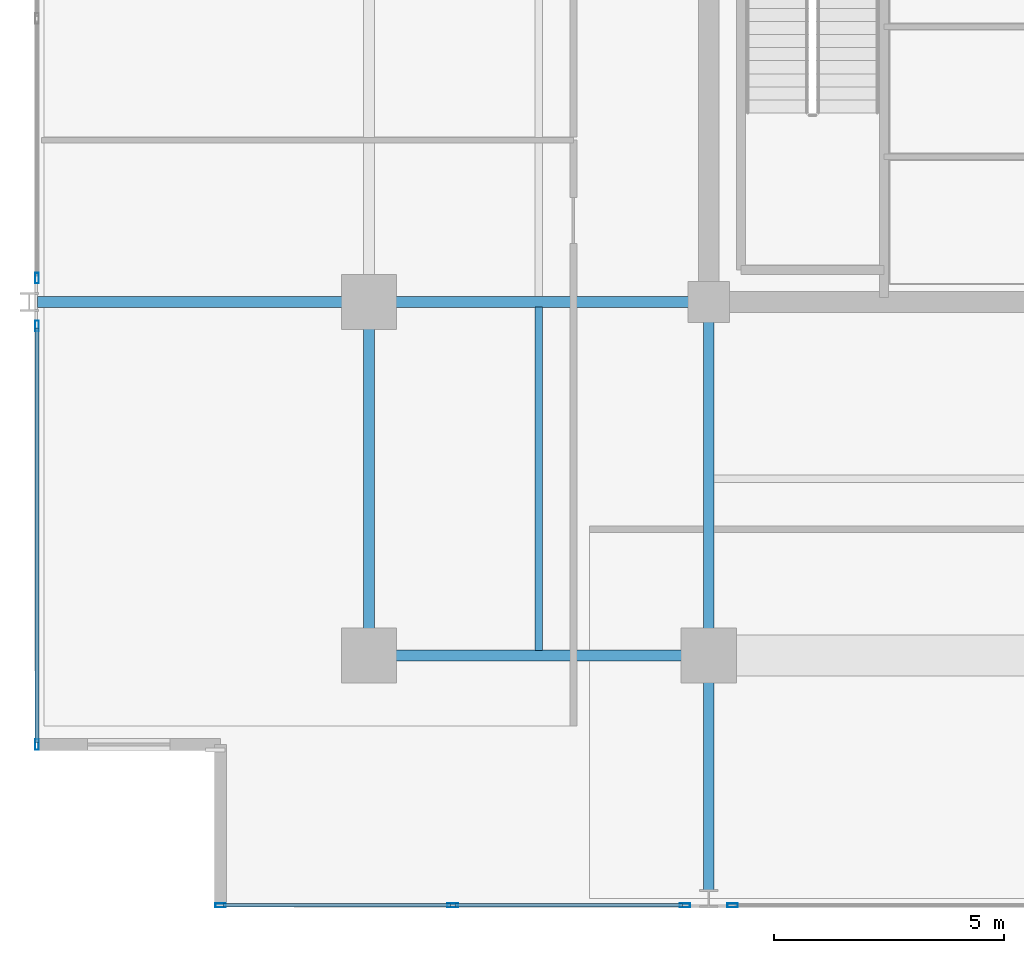
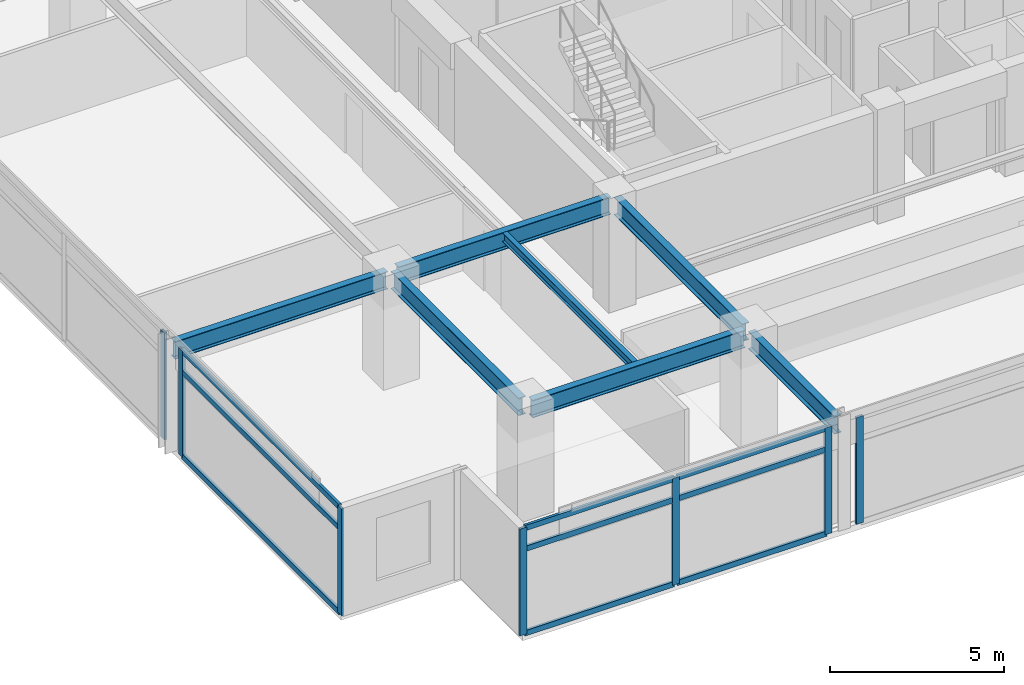
# One storey, part 2 of 21: 16 members, 7 beams, 4 elements without a shape of their own.
"""IFC4 building model written with IfcOpenShell, lengths in metres."""

from ifc_helpers import new_model, si_unit, direction, frame, origin, origin_2d, place, context, subcontext, project, spatial, hollow_rectangle, i_section, extrude, material, material_profile, profile_set, type_object, element, aggregate, save


model = new_model("IFC4")

# Units and contexts
model_context = context("Model", 3, precision=1e-05, world=origin(), true_north=direction((0.0, 1.0)))
body_context = subcontext(model_context, "Body", "Model", "MODEL_VIEW")
ifc_project = project(units=[si_unit("LENGTHUNIT", "METRE"), si_unit("AREAUNIT", "SQUARE_METRE"), si_unit("VOLUMEUNIT", "CUBIC_METRE"), si_unit("PLANEANGLEUNIT", "RADIAN"), si_unit("MASSUNIT", "GRAM", prefix="KILO")], contexts=[model_context])

# Site, building, storey
site_placement = place(None, origin())
site = spatial("IfcSite", under=ifc_project, at=site_placement, CompositionType="ELEMENT")
building_placement = place(site_placement, origin())
building = spatial("IfcBuilding", under=site, at=building_placement, Name="Kovane Verandah Tower", CompositionType="ELEMENT")
storey_placement = place(building_placement, frame((0.0, 0.0, 283.199951171875)))
storey = spatial("IfcBuildingStorey", under=building, at=storey_placement, Name="L66", CompositionType="ELEMENT", Elevation=283.199951171875)

# Beams
ifc_material_1 = material(Name="Steel S355", Category="steel")
ifc_material_profile_1 = material_profile(ifc_material_1, i_section(OverallWidth=0.230224609375, OverallDepth=0.6171875, WebThickness=0.01318359375, FlangeThickness=0.022216796875, FilletRadius=0.0126953125, at=origin_2d()), Name="UB610x229x140")
ifc_profile_set_1 = profile_set([ifc_material_profile_1], Name="Steel S355")
beam_type_1 = type_object("IfcBeamType", Name="BM-UB610x140", PredefinedType="BEAM", material=ifc_profile_set_1)
beam_1_placement = place(storey_placement, frame((21.780029296875, 10.800048828125, 3.4765625), z_axis=(1.0, 0.0, 0.0), x_axis=(0.0, 1.0, 0.0)))
element("IfcBeam", 1, at=beam_1_placement, inside=storey, type_object=beam_type_1, Name="L66 Primary Tower Girder G-RS1", PredefinedType="BEAM", context=body_context, shape_type="SweptSolid", body=[
    extrude(i_section(OverallWidth=0.230224609375, OverallDepth=0.6171875, WebThickness=0.01318359375, FlangeThickness=0.022216796875, FilletRadius=0.0126953125, at=origin_2d()), origin(), (0.0, 0.0, 1.0), 7.0400390625),
])
beam_2_placement = place(storey_placement, frame((21.60009765625, 10.97998046875, 3.4765625), z_axis=(0.0, 1.0, 0.0), x_axis=(-1.0, 0.0, 0.0)))
element("IfcBeam", 2, at=beam_2_placement, inside=storey, type_object=beam_type_1, Name="L66 Primary Tower Girder G-RW1", PredefinedType="BEAM", context=body_context, shape_type="SweptSolid", body=[
    extrude(i_section(OverallWidth=0.230224609375, OverallDepth=0.6171875, WebThickness=0.01318359375, FlangeThickness=0.022216796875, FilletRadius=0.0126953125, at=origin_2d()), origin(), (0.0, 0.0, 1.0), 7.340087890625),
])
beam_3_placement = place(storey_placement, frame((28.820068359375, 18.5, 3.4765625), z_axis=(-1.0, 0.0, 0.0), x_axis=(0.0, -1.0, 0.0)))
element("IfcBeam", 3, at=beam_3_placement, inside=storey, type_object=beam_type_1, Name="L66 Primary Tower Girder G-W1", PredefinedType="BEAM", context=body_context, shape_type="SweptSolid", body=[
    extrude(i_section(OverallWidth=0.230224609375, OverallDepth=0.6171875, WebThickness=0.01318359375, FlangeThickness=0.022216796875, FilletRadius=0.0126953125, at=origin_2d()), origin(), (0.0, 0.0, 1.0), 7.0400390625),
])
beam_4_placement = place(storey_placement, frame((29.0, 18.320068359375, 3.4765625), z_axis=(0.0, -1.0, 0.0), x_axis=(1.0, 0.0, 0.0)))
element("IfcBeam", 4, at=beam_4_placement, inside=storey, type_object=beam_type_1, Name="L66 Primary Tower Girder G-S1", PredefinedType="BEAM", context=body_context, shape_type="SweptSolid", body=[
    extrude(i_section(OverallWidth=0.230224609375, OverallDepth=0.6171875, WebThickness=0.01318359375, FlangeThickness=0.022216796875, FilletRadius=0.0126953125, at=origin_2d()), origin(), (0.0, 0.0, 1.0), 7.340087890625),
])
beam_5_placement = place(storey_placement, frame((21.419921875, 18.5, 3.451416015625), z_axis=(-1.0, 0.0, 0.0), x_axis=(0.0, -1.0, 0.0)))
element("IfcBeam", 5, at=beam_5_placement, inside=storey, type_object=beam_type_1, Name="L66 Primary Tower Girder G-VW1", PredefinedType="BEAM", context=body_context, shape_type="SweptSolid", body=[
    extrude(i_section(OverallWidth=0.230224609375, OverallDepth=0.6171875, WebThickness=0.01318359375, FlangeThickness=0.022216796875, FilletRadius=0.0126953125, at=origin_2d()), origin(), (0.0, 0.0, 1.0), 7.0400390625),
])
beam_6_placement = place(storey_placement, frame((29.0, 10.6201171875, 3.451416015625), z_axis=(0.0, -1.0, 0.0), x_axis=(1.0, 0.0, 0.0)))
element("IfcBeam", 6, at=beam_6_placement, inside=storey, type_object=beam_type_1, Name="L66 Primary Tower Girder G-VS1", PredefinedType="BEAM", context=body_context, shape_type="SweptSolid", body=[
    extrude(i_section(OverallWidth=0.230224609375, OverallDepth=0.6171875, WebThickness=0.01318359375, FlangeThickness=0.022216796875, FilletRadius=0.0126953125, at=origin_2d()), origin(), (0.0, 0.0, 1.0), 4.940185546875),
])

# Curtain wall, members
ifc_material_2 = material(Name="Champagne Anodised Aluminium Frame with Low-E Clear Laminated Glass", Category="aluminium")
curtain_wall_type = type_object("IfcCurtainWallType", Name="CW-SYS-05-HIGH", PredefinedType="NOTDEFINED", material=ifc_material_2)
curtain_wall_1_placement = place(storey_placement, origin())
curtain_wall_1 = element("IfcCurtainWall", 7, at=curtain_wall_1_placement, inside=storey, type_object=curtain_wall_type, Name="L66 S Unitised Curtain Wall-1", PredefinedType="NOTDEFINED")
ifc_material_3 = material(Name="Champagne Anodised Aluminium 6063-T6", Category="aluminium")
ifc_material_profile_2 = material_profile(ifc_material_3, hollow_rectangle(XDim=0.0849609375, YDim=0.22998046875, WallThickness=0.00390625, at=origin_2d()), Name="AL85x230x4")
ifc_profile_set_2 = profile_set([ifc_material_profile_2], Name="Champagne Anodised Aluminium 6063-T6")
member_type_1 = type_object("IfcMemberType", Name="CW-MUL-85x230", PredefinedType="MULLION", material=ifc_profile_set_2)
member_1_placement = place(storey_placement, frame((18.36865234375, 5.359619140625, 0.02001953125), z_axis=(0.0, 0.0, 1.0), x_axis=(0.0, -1.0, 0.0)))
member_1 = element("IfcMember", 8, at=member_1_placement, type_object=member_type_1, Name="L66 S Unitised Curtain Wall-1 Mullion 1", PredefinedType="MULLION", context=body_context, shape_type="SweptSolid", body=[
    extrude(hollow_rectangle(XDim=0.0849609375, YDim=0.22998046875, WallThickness=0.00390625, at=origin_2d()), origin(), (0.0, 0.0, 1.0), 3.7451171875),
])
member_2_placement = place(storey_placement, frame((23.42431640625, 5.359619140625, 0.02001953125), z_axis=(0.0, 0.0, 1.0), x_axis=(0.0, -1.0, 0.0)))
member_2 = element("IfcMember", 9, at=member_2_placement, type_object=member_type_1, Name="L66 S Unitised Curtain Wall-1 Mullion 2", PredefinedType="MULLION", context=body_context, shape_type="SweptSolid", body=[
    extrude(hollow_rectangle(XDim=0.0849609375, YDim=0.22998046875, WallThickness=0.00390625, at=origin_2d()), origin(), (0.0, 0.0, 1.0), 3.7451171875),
])
member_3_placement = place(storey_placement, frame((28.47998046875, 5.359619140625, 0.02001953125), z_axis=(0.0, 0.0, 1.0), x_axis=(0.0, -1.0, 0.0)))
member_3 = element("IfcMember", 10, at=member_3_placement, type_object=member_type_1, Name="L66 S Unitised Curtain Wall-1 Mullion 3", PredefinedType="MULLION", context=body_context, shape_type="SweptSolid", body=[
    extrude(hollow_rectangle(XDim=0.0849609375, YDim=0.22998046875, WallThickness=0.00390625, at=origin_2d()), origin(), (0.0, 0.0, 1.0), 3.7451171875),
])

# Curtain wall, member
curtain_wall_2_placement = place(storey_placement, origin())
curtain_wall_2 = element("IfcCurtainWall", 11, at=curtain_wall_2_placement, inside=storey, type_object=curtain_wall_type, Name="L66 S Unitised Curtain Wall-2", PredefinedType="NOTDEFINED")
member_4_placement = place(storey_placement, frame((29.52001953125, 5.359619140625, 0.02001953125), z_axis=(0.0, 0.0, 1.0), x_axis=(0.0, -1.0, 0.0)))
member_4 = element("IfcMember", 12, at=member_4_placement, type_object=member_type_1, Name="L66 S Unitised Curtain Wall-2 Mullion 1", PredefinedType="MULLION", context=body_context, shape_type="SweptSolid", body=[
    extrude(hollow_rectangle(XDim=0.0849609375, YDim=0.22998046875, WallThickness=0.00390625, at=origin_2d()), origin(), (0.0, 0.0, 1.0), 3.7451171875),
])
aggregate(curtain_wall_2, [member_4])

curtain_wall_3_placement = place(storey_placement, origin())
curtain_wall_3 = element("IfcCurtainWall", 13, at=curtain_wall_3_placement, inside=storey, type_object=curtain_wall_type, Name="L66 W Unitised Curtain Wall-2", PredefinedType="NOTDEFINED")
member_5_placement = place(storey_placement, frame((14.36865234375, 19.02001953125, 0.02001953125), z_axis=(0.0, 0.0, 1.0), x_axis=(-1.0, 0.0, 0.0)))
member_5 = element("IfcMember", 14, at=member_5_placement, type_object=member_type_1, Name="L66 W Unitised Curtain Wall-2 Mullion 4", PredefinedType="MULLION", context=body_context, shape_type="SweptSolid", body=[
    extrude(hollow_rectangle(XDim=0.0849609375, YDim=0.22998046875, WallThickness=0.00390625, at=origin_2d()), origin(), (0.0, 0.0, 1.0), 3.7451171875),
])
aggregate(curtain_wall_3, [member_5])

# Curtain wall, members
curtain_wall_4_placement = place(storey_placement, origin())
curtain_wall_4 = element("IfcCurtainWall", 15, at=curtain_wall_4_placement, inside=storey, type_object=curtain_wall_type, Name="L66 W Unitised Curtain Wall-3", PredefinedType="NOTDEFINED")
member_6_placement = place(storey_placement, frame((14.36865234375, 17.97998046875, 0.02001953125), z_axis=(0.0, 0.0, 1.0), x_axis=(-1.0, 0.0, 0.0)))
member_6 = element("IfcMember", 16, at=member_6_placement, type_object=member_type_1, Name="L66 W Unitised Curtain Wall-3 Mullion 1", PredefinedType="MULLION", context=body_context, shape_type="SweptSolid", body=[
    extrude(hollow_rectangle(XDim=0.0849609375, YDim=0.22998046875, WallThickness=0.00390625, at=origin_2d()), origin(), (0.0, 0.0, 1.0), 3.7451171875),
])
member_7_placement = place(storey_placement, frame((14.36865234375, 8.859619140625, 0.02001953125), z_axis=(0.0, 0.0, 1.0), x_axis=(-1.0, 0.0, 0.0)))
member_7 = element("IfcMember", 17, at=member_7_placement, type_object=member_type_1, Name="L66 W Unitised Curtain Wall-3 Mullion 2", PredefinedType="MULLION", context=body_context, shape_type="SweptSolid", body=[
    extrude(hollow_rectangle(XDim=0.0849609375, YDim=0.22998046875, WallThickness=0.00390625, at=origin_2d()), origin(), (0.0, 0.0, 1.0), 3.7451171875),
])

# Member
ifc_material_profile_3 = material_profile(ifc_material_3, hollow_rectangle(XDim=0.0849609375, YDim=0.18994140625, WallThickness=0.00390625, at=origin_2d()), Name="AL85x190x4")
ifc_profile_set_3 = profile_set([ifc_material_profile_3], Name="Champagne Anodised Aluminium 6063-T6")
member_type_2 = type_object("IfcMemberType", Name="CW-TRN-85x190", PredefinedType="USERDEFINED", material=ifc_profile_set_3)
member_8_placement = place(storey_placement, frame((18.418701171875, 5.359619140625, 0.050048828125), z_axis=(1.0, 0.0, 0.0), x_axis=(0.0, 1.0, 0.0)))
member_8 = element("IfcMember", 18, at=member_8_placement, type_object=member_type_2, Name="L66 S Unitised Curtain Wall-1 Transom TB Bay 1", ObjectType="TRANSOM", PredefinedType="USERDEFINED", context=body_context, shape_type="SweptSolid", body=[
    extrude(hollow_rectangle(XDim=0.0849609375, YDim=0.18994140625, WallThickness=0.00390625, at=origin_2d()), origin(), (0.0, 0.0, 1.0), 4.95556640625),
])

member_9_placement = place(storey_placement, frame((18.418701171875, 5.359619140625, 3.005126953125), z_axis=(1.0, 0.0, 0.0), x_axis=(0.0, 1.0, 0.0)))
member_9 = element("IfcMember", 19, at=member_9_placement, type_object=member_type_2, Name="L66 S Unitised Curtain Wall-1 Transom TM Bay 1", ObjectType="TRANSOM", PredefinedType="USERDEFINED", context=body_context, shape_type="SweptSolid", body=[
    extrude(hollow_rectangle(XDim=0.0849609375, YDim=0.18994140625, WallThickness=0.00390625, at=origin_2d()), origin(), (0.0, 0.0, 1.0), 4.95556640625),
])

member_10_placement = place(storey_placement, frame((18.418701171875, 5.359619140625, 3.735107421875), z_axis=(1.0, 0.0, 0.0), x_axis=(0.0, 1.0, 0.0)))
member_10 = element("IfcMember", 20, at=member_10_placement, type_object=member_type_2, Name="L66 S Unitised Curtain Wall-1 Transom TT Bay 1", ObjectType="TRANSOM", PredefinedType="USERDEFINED", context=body_context, shape_type="SweptSolid", body=[
    extrude(hollow_rectangle(XDim=0.0849609375, YDim=0.18994140625, WallThickness=0.00390625, at=origin_2d()), origin(), (0.0, 0.0, 1.0), 4.95556640625),
])

member_11_placement = place(storey_placement, frame((23.474365234375, 5.359619140625, 0.050048828125), z_axis=(1.0, 0.0, 0.0), x_axis=(0.0, 1.0, 0.0)))
member_11 = element("IfcMember", 21, at=member_11_placement, type_object=member_type_2, Name="L66 S Unitised Curtain Wall-1 Transom TB Bay 2", ObjectType="TRANSOM", PredefinedType="USERDEFINED", context=body_context, shape_type="SweptSolid", body=[
    extrude(hollow_rectangle(XDim=0.0849609375, YDim=0.18994140625, WallThickness=0.00390625, at=origin_2d()), origin(), (0.0, 0.0, 1.0), 4.95556640625),
])

member_12_placement = place(storey_placement, frame((23.474365234375, 5.359619140625, 3.005126953125), z_axis=(1.0, 0.0, 0.0), x_axis=(0.0, 1.0, 0.0)))
member_12 = element("IfcMember", 22, at=member_12_placement, type_object=member_type_2, Name="L66 S Unitised Curtain Wall-1 Transom TM Bay 2", ObjectType="TRANSOM", PredefinedType="USERDEFINED", context=body_context, shape_type="SweptSolid", body=[
    extrude(hollow_rectangle(XDim=0.0849609375, YDim=0.18994140625, WallThickness=0.00390625, at=origin_2d()), origin(), (0.0, 0.0, 1.0), 4.95556640625),
])

member_13_placement = place(storey_placement, frame((23.474365234375, 5.359619140625, 3.735107421875), z_axis=(1.0, 0.0, 0.0), x_axis=(0.0, 1.0, 0.0)))
member_13 = element("IfcMember", 23, at=member_13_placement, type_object=member_type_2, Name="L66 S Unitised Curtain Wall-1 Transom TT Bay 2", ObjectType="TRANSOM", PredefinedType="USERDEFINED", context=body_context, shape_type="SweptSolid", body=[
    extrude(hollow_rectangle(XDim=0.0849609375, YDim=0.18994140625, WallThickness=0.00390625, at=origin_2d()), origin(), (0.0, 0.0, 1.0), 4.95556640625),
])

aggregate(curtain_wall_1, [member_1, member_2, member_3, member_8, member_9, member_10, member_11, member_12, member_13])

member_14_placement = place(storey_placement, frame((14.36865234375, 17.929931640625, 0.050048828125), z_axis=(0.0, -1.0, 0.0), x_axis=(1.0, 0.0, 0.0)))
member_14 = element("IfcMember", 24, at=member_14_placement, type_object=member_type_2, Name="L66 W Unitised Curtain Wall-3 Transom TB Bay 1", ObjectType="TRANSOM", PredefinedType="USERDEFINED", context=body_context, shape_type="SweptSolid", body=[
    extrude(hollow_rectangle(XDim=0.0849609375, YDim=0.18994140625, WallThickness=0.00390625, at=origin_2d()), origin(), (0.0, 0.0, 1.0), 9.020263671875),
])

member_15_placement = place(storey_placement, frame((14.36865234375, 17.929931640625, 3.005126953125), z_axis=(0.0, -1.0, 0.0), x_axis=(1.0, 0.0, 0.0)))
member_15 = element("IfcMember", 25, at=member_15_placement, type_object=member_type_2, Name="L66 W Unitised Curtain Wall-3 Transom TM Bay 1", ObjectType="TRANSOM", PredefinedType="USERDEFINED", context=body_context, shape_type="SweptSolid", body=[
    extrude(hollow_rectangle(XDim=0.0849609375, YDim=0.18994140625, WallThickness=0.00390625, at=origin_2d()), origin(), (0.0, 0.0, 1.0), 9.020263671875),
])

member_16_placement = place(storey_placement, frame((14.36865234375, 17.929931640625, 3.735107421875), z_axis=(0.0, -1.0, 0.0), x_axis=(1.0, 0.0, 0.0)))
member_16 = element("IfcMember", 26, at=member_16_placement, type_object=member_type_2, Name="L66 W Unitised Curtain Wall-3 Transom TT Bay 1", ObjectType="TRANSOM", PredefinedType="USERDEFINED", context=body_context, shape_type="SweptSolid", body=[
    extrude(hollow_rectangle(XDim=0.0849609375, YDim=0.18994140625, WallThickness=0.00390625, at=origin_2d()), origin(), (0.0, 0.0, 1.0), 9.020263671875),
])

aggregate(curtain_wall_4, [member_6, member_7, member_14, member_15, member_16])

# Beam
ifc_material_profile_4 = material_profile(ifc_material_1, i_section(OverallWidth=0.1669921875, OverallDepth=0.310302734375, WebThickness=0.0078125, FlangeThickness=0.013671875, FilletRadius=0.0087890625, at=origin_2d()), Name="UB305x165x54")
ifc_profile_set_4 = profile_set([ifc_material_profile_4], Name="Steel S355")
beam_type_2 = type_object("IfcBeamType", Name="JST-UB305x54", PredefinedType="JOIST", material=ifc_profile_set_4)
beam_7_placement = place(storey_placement, frame((25.300048828125, 10.9130859375, 3.6298828125), z_axis=(0.0, 1.0, 0.0), x_axis=(-1.0, 0.0, 0.0)))
element("IfcBeam", 27, at=beam_7_placement, inside=storey, type_object=beam_type_2, Name="L66 Secondary Composite Joist J-SW1", PredefinedType="JOIST", context=body_context, shape_type="SweptSolid", body=[
    extrude(i_section(OverallWidth=0.1669921875, OverallDepth=0.310302734375, WebThickness=0.0078125, FlangeThickness=0.013671875, FilletRadius=0.0087890625, at=origin_2d()), origin(), (0.0, 0.0, 1.0), 7.473876953125),
])

save(model, "model.ifc")
